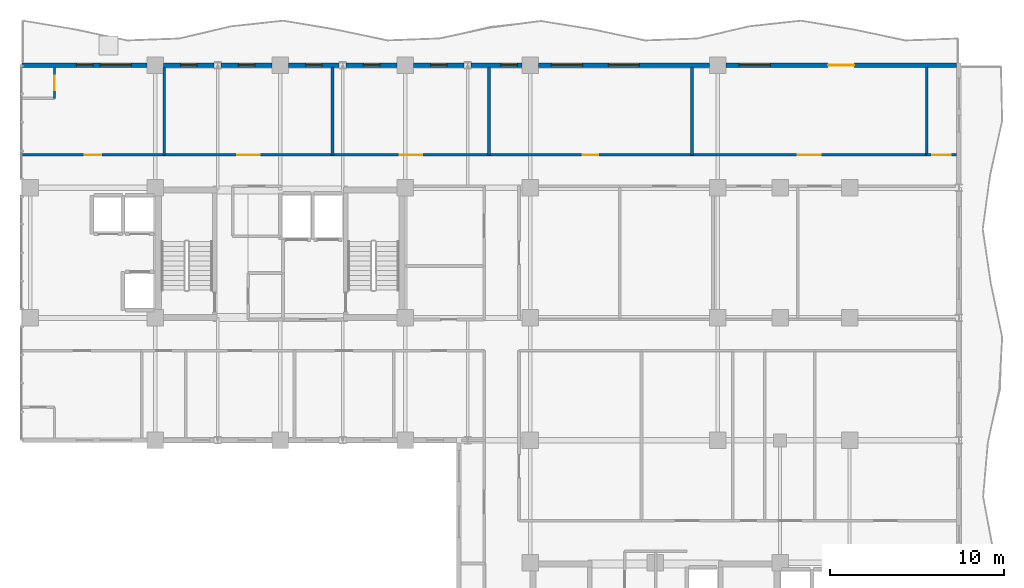
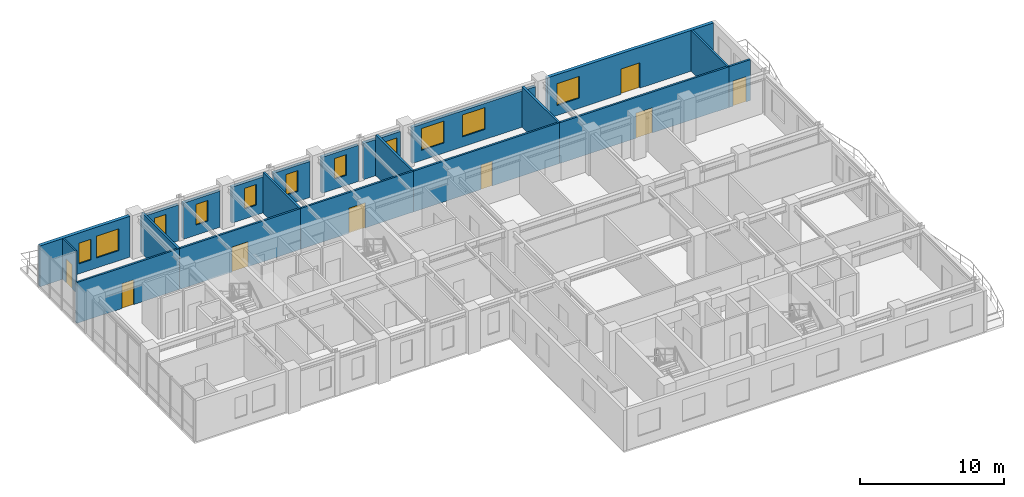
# One storey, part 16 of 20: 21 walls, 11 windows, 8 doors, 19 openings.
"""IFC4 building model written with IfcOpenShell, lengths in metres."""

import ifcopenshell
import ifcopenshell.guid

model = None  # the IFC model being written
_history = None  # IfcOwnerHistory: only IFC2X3 demands one
_inside = {}  # id of a spatial element -> (the spatial element, [elements in it])
_under = {}  # id of a project, library or spatial element -> (it, [spatial elements below it])
_declared = {}  # id of a project -> (the project, [libraries it declares])
_typed = {}  # id of a type object -> (the type object, [elements of that type])
_made_of = {}  # id of a material, layer set ... -> (it, [elements and type objects made of it])


def new_model(schema):
    """Start an empty IFC model of exactly this schema.

    Asked for "IFC4X3", IfcOpenShell would pick the latest addendum, in which some entities
    have other attributes; the version numbers below select the first issue.
    IFC2X3 requires an IfcOwnerHistory on every rooted entity: one is made here for all.
    """
    global model, _history
    if schema == "IFC4X3":
        model = ifcopenshell.file(schema_version=(4, 3, 0, 0))
    else:
        model = ifcopenshell.file(schema=schema)
    _inside.clear()
    _under.clear()
    _declared.clear()
    _typed.clear()
    _made_of.clear()
    _history = None
    if model.schema == "IFC2X3":
        org = make("IfcOrganization", Name="unknown")
        user = make(
            "IfcPersonAndOrganization",
            ThePerson=make("IfcPerson", FamilyName="unknown"),
            TheOrganization=org,
        )
        app = make(
            "IfcApplication",
            ApplicationDeveloper=org,
            Version="unknown",
            ApplicationFullName="unknown",
            ApplicationIdentifier="unknown",
        )
        _history = make(
            "IfcOwnerHistory",
            OwningUser=user,
            OwningApplication=app,
            ChangeAction="ADDED",
            CreationDate=0,
        )
    return model


def make(cls, **values):
    """One entity of the class cls with the attributes given. An attribute that is None is left unset."""
    return model.create_entity(
        cls, **{name: value for name, value in values.items() if value is not None}
    )


def rooted(cls, **values):
    """An entity with a GlobalId (a new one), such as an element, a storey or a relation."""
    return make(cls, GlobalId=ifcopenshell.guid.new(), OwnerHistory=_history, **values)


def si_unit(unit_type, name, prefix=None):
    """IfcSIUnit, for example si_unit("LENGTHUNIT", "METRE", prefix="MILLI")."""
    return make("IfcSIUnit", UnitType=unit_type, Prefix=prefix, Name=name)


def assignment(units):
    """IfcUnitAssignment: the units of a project."""
    return None if units is None else make("IfcUnitAssignment", Units=units)


def point(xyz):
    """IfcCartesianPoint."""
    return None if xyz is None else make("IfcCartesianPoint", Coordinates=xyz)


def direction(xyz):
    """IfcDirection."""
    return None if xyz is None else make("IfcDirection", DirectionRatios=xyz)


def frame(location, z_axis=None, x_axis=None):
    """IfcAxis2Placement3D, a coordinate frame: its origin and axes. An axis left out is left unset."""
    return make(
        "IfcAxis2Placement3D",
        Location=point(location),
        Axis=direction(z_axis),
        RefDirection=direction(x_axis),
    )


def frame_2d(location, x_axis=None):
    """IfcAxis2Placement2D, a coordinate frame in the plane: its origin and x axis."""
    return make(
        "IfcAxis2Placement2D", Location=point(location), RefDirection=direction(x_axis)
    )


def origin():
    """The frame at (0, 0, 0) with its axes left unset."""
    return frame((0.0, 0.0, 0.0))


def place(relative_to, where):
    """IfcLocalPlacement: puts the frame where relative to a parent placement (None: the world)."""
    return make(
        "IfcLocalPlacement", PlacementRelTo=relative_to, RelativePlacement=where
    )


def context(
    kind, dimensions, precision=None, world=None, true_north=None, identifier=None
):
    """IfcGeometricRepresentationContext, for example the 3D "Model" context."""
    return make(
        "IfcGeometricRepresentationContext",
        ContextIdentifier=identifier,
        ContextType=kind,
        CoordinateSpaceDimension=dimensions,
        Precision=precision,
        WorldCoordinateSystem=world,
        TrueNorth=true_north,
    )


def subcontext(parent, identifier, kind, view, scale=None):
    """IfcGeometricRepresentationSubContext, for example "Body" below "Model"."""
    return make(
        "IfcGeometricRepresentationSubContext",
        ContextIdentifier=identifier,
        ContextType=kind,
        ParentContext=parent,
        TargetScale=scale,
        TargetView=view,
    )


def project(units=None, contexts=None):
    """IfcProject with its units and contexts."""
    return rooted(
        "IfcProject",
        Name="project",
        RepresentationContexts=contexts,
        UnitsInContext=assignment(units),
    )


def spatial(cls, under=None, at=None, **own):
    """A site, building, storey or space (cls), placed at a placement, below another one or the project."""
    s = rooted(cls, ObjectPlacement=at, **own)
    if under is not None:
        _under.setdefault(under.id(), (under, []))[1].append(s)
    return s


def profile(cls, at=None, kind="AREA", **sizes):
    """A parametric profile (cls). Its sizes go by their IFC names, for example OverallWidth=200.0."""
    return make(cls, ProfileType=kind, Position=at, **sizes)


def rectangle(**sizes):
    """IfcRectangleProfileDef."""
    return profile("IfcRectangleProfileDef", **sizes)


def extrude(swept, where, along, depth):
    """IfcExtrudedAreaSolid: the profile swept, set in the frame where, extruded along a direction by depth."""
    return make(
        "IfcExtrudedAreaSolid",
        SweptArea=swept,
        Position=where,
        ExtrudedDirection=direction(along),
        Depth=depth,
    )


def shape(context_of_items, identifier, shape_type, items):
    """IfcShapeRepresentation: the items that make up one representation, for example the "Body"."""
    return make(
        "IfcShapeRepresentation",
        ContextOfItems=context_of_items,
        RepresentationIdentifier=identifier,
        RepresentationType=shape_type,
        Items=items,
    )


def material(Name=None, Category=None):
    """IfcMaterial."""
    return make("IfcMaterial", Name=Name, Category=Category)


def layer(
    of_material, thickness, ventilated=None, Name=None, Category=None, Priority=None
):
    """IfcMaterialLayer: one layer of a wall or slab, of a material (None: an air gap)."""
    return make(
        "IfcMaterialLayer",
        Material=of_material,
        LayerThickness=thickness,
        IsVentilated=ventilated,
        Name=Name,
        Category=Category,
        Priority=Priority,
    )


def layer_set(layers, Name=None):
    """IfcMaterialLayerSet."""
    return make("IfcMaterialLayerSet", MaterialLayers=layers, LayerSetName=Name)


def made_of(thing, what):
    """Note that an element or type object is made of a material, layer set ...; save() writes the relation."""
    if what is not None:
        _made_of.setdefault(what.id(), (what, []))[1].append(thing)
    return thing


def type_object(cls, material=None, **own):
    """A type object (cls), such as IfcWallType, which elements share."""
    return made_of(rooted(cls, **own), material)


def element(
    cls,
    number,
    at=None,
    inside=None,
    cuts=None,
    type_object=None,
    material=None,
    context=None,
    identifier="Body",
    shape_type=None,
    held_by="IfcProductDefinitionShape",
    body=None,
    shapes=None,
    **own,
):
    """One element of the class cls, such as IfcWall. Its Tag is "e" and its number.

    at: its placement. inside: the storey or other place that contains it. cuts: it is an
    opening in that element (IfcRelVoidsElement). A single representation is given by context,
    identifier, shape_type and body (its items); several are given by shapes. held_by: the class
    of the entity that holds the representations. save() writes the other relations.
    """
    e = rooted(cls, Tag="e%d" % number, ObjectPlacement=at, **own)
    if body is not None:
        shapes = [shape(context, identifier, shape_type, body)]
    if shapes is not None:
        e.Representation = make(held_by, Representations=shapes)
    if inside is not None:
        _inside.setdefault(inside.id(), (inside, []))[1].append(e)
    if cuts is not None:
        rooted(
            "IfcRelVoidsElement", RelatingBuildingElement=cuts, RelatedOpeningElement=e
        )
    if type_object is not None:
        _typed.setdefault(type_object.id(), (type_object, []))[1].append(e)
    return made_of(e, material)


def fill(opening, filler):
    """IfcRelFillsElement: the door or window that sits in an opening."""
    return rooted(
        "IfcRelFillsElement",
        RelatingOpeningElement=opening,
        RelatedBuildingElement=filler,
    )


def aggregate(whole, parts):
    """IfcRelAggregates: a whole, such as a stair, and the parts it consists of."""
    return rooted("IfcRelAggregates", RelatingObject=whole, RelatedObjects=parts)


def save(model, path):
    """Write the relations noted so far, then the file.

    IfcRelAggregates (storeys below a building ...), IfcRelContainedInSpatialStructure (elements
    in a storey), IfcRelDefinesByType, IfcRelAssociatesMaterial and IfcRelDeclares: one each for
    every whole, place, type object, material and project.
    """
    for whole, parts in _under.values():
        aggregate(whole, parts)
    for where, things in _inside.values():
        rooted(
            "IfcRelContainedInSpatialStructure",
            RelatedElements=things,
            RelatingStructure=where,
        )
    for kind, things in _typed.values():
        rooted("IfcRelDefinesByType", RelatedObjects=things, RelatingType=kind)
    for what, things in _made_of.values():
        rooted("IfcRelAssociatesMaterial", RelatedObjects=things, RelatingMaterial=what)
    for by, libraries in _declared.values():
        rooted("IfcRelDeclares", RelatingContext=by, RelatedDefinitions=libraries)
    model.write(path)


model = new_model("IFC4")

# Units and contexts
model_context = context("Model", 3, precision=1e-05, world=origin(), true_north=direction((0.0, 1.0)))
body_context = subcontext(model_context, "Body", "Model", "MODEL_VIEW")
ifc_project = project(units=[si_unit("LENGTHUNIT", "METRE"), si_unit("AREAUNIT", "SQUARE_METRE"), si_unit("VOLUMEUNIT", "CUBIC_METRE"), si_unit("PLANEANGLEUNIT", "RADIAN"), si_unit("MASSUNIT", "GRAM", prefix="KILO")], contexts=[model_context])

# Site, building, storey
site_placement = place(None, origin())
site = spatial("IfcSite", under=ifc_project, at=site_placement, CompositionType="ELEMENT")
building_placement = place(site_placement, origin())
building = spatial("IfcBuilding", under=site, at=building_placement, Name="Kaliganga Portal Commons", CompositionType="ELEMENT")
storey_placement = place(building_placement, frame((0.0, 0.0, 216.60009765625)))
storey = spatial("IfcBuildingStorey", under=building, at=storey_placement, Name="L55", CompositionType="ELEMENT", Elevation=216.60009765625)

# Wall, openings, door, window
ifc_material_1 = material(Name="Insulated Aluminium-Clad Spandrel Assembly", Category="aluminium")
ifc_layer_1 = layer(ifc_material_1, 0.260009765625)
ifc_layer_set_1 = layer_set([ifc_layer_1], Name="Insulated Aluminium-Clad Spandrel Assembly")
wall_type_1 = type_object("IfcWallType", Name="WL-EXT-SPAND-260", PredefinedType="STANDARD", material=ifc_layer_set_1)
wall_1_placement = place(storey_placement, frame((47.27587890625, 43.199951171875, 0.0), z_axis=(0.0, 0.0, 1.0), x_axis=(1.0, 0.0, 0.0)))
wall_1 = element("IfcWall", 1, at=wall_1_placement, inside=storey, type_object=wall_type_1, Name="Exterior Envelope Wall L55 P1-E02-S1", PredefinedType="STANDARD", context=body_context, shape_type="SweptSolid", body=[
    extrude(rectangle(XDim=13.2890625, YDim=0.260009765625, at=frame_2d((6.64453125, 0.0))), origin(), (0.0, 0.0, 1.0), 3.449951171875),
])
opening_1_placement = place(wall_1_placement, frame((5.89404296875, 0.0, 0.0)))
opening_1 = element("IfcOpeningElement", 2, at=opening_1_placement, cuts=wall_1, Name="Opening BD-01", PredefinedType="OPENING", context=body_context, shape_type="SweptSolid", body=[
    extrude(rectangle(XDim=1.5, YDim=2.14990234375, at=frame_2d((0.75, 1.074951171875))), frame((0.0, 0.14013671875, 0.0), z_axis=(0.0, -1.0, 0.0), x_axis=(1.0, 0.0, 0.0)), (0.0, 0.0, 1.0), 0.280029296875),
])
opening_2_placement = place(wall_1_placement, frame((0.760986328125, 0.0, 0.85009765625)))
opening_2 = element("IfcOpeningElement", 3, at=opening_2_placement, cuts=wall_1, Name="Opening W-01", PredefinedType="OPENING", context=body_context, shape_type="SweptSolid", body=[
    extrude(rectangle(XDim=1.800048828125, YDim=1.85009765625, at=frame_2d((0.89990234375, 0.925048828125))), frame((0.0, 0.14013671875, 0.0), z_axis=(0.0, -1.0, 0.0), x_axis=(1.0, 0.0, 0.0)), (0.0, 0.0, 1.0), 0.280029296875),
])
ifc_material_2 = material(Name="Anodized Aluminium and Laminated Safety Glass", Category="aluminium")
door_type_1 = type_object("IfcDoorType", Name="DR-BALC-1500", OperationType="SLIDING_TO_LEFT", PredefinedType="DOOR", material=ifc_material_2)
door_1_placement = place(opening_1_placement, origin())
door_1 = element("IfcDoor", 4, at=door_1_placement, inside=storey, type_object=door_type_1, Name="Balcony Sliding Door L55 balc_north", OperationType="SLIDING_TO_LEFT", OverallHeight=2.14990234375, OverallWidth=1.5, PredefinedType="DOOR", context=body_context, shape_type="SweptSolid", body=[
    extrude(rectangle(XDim=1.5, YDim=2.14990234375, at=frame_2d((0.75, 1.074951171875))), frame((0.0, 0.02490234375, 0.0), z_axis=(0.0, -1.0, 0.0), x_axis=(1.0, 0.0, 0.0)), (0.0, 0.0, 1.0), 0.050048828125),
])
fill(opening_1, door_1)
ifc_material_3 = material(Name="Thermally Broken Aluminium and Low-E Double Glazing", Category="aluminium")
window_type_1 = type_object("IfcWindowType", Name="WIN-STD-1800", PartitioningType="DOUBLE_PANEL_VERTICAL", PredefinedType="WINDOW", material=ifc_material_3)
window_1_placement = place(opening_2_placement, origin())
window_1 = element("IfcWindow", 5, at=window_1_placement, inside=storey, type_object=window_type_1, Name="Facade Window L55-P1E02S1-00", OverallHeight=1.85009765625, OverallWidth=1.800048828125, PartitioningType="SINGLE_PANEL", PredefinedType="WINDOW", context=body_context, shape_type="SweptSolid", body=[
    extrude(rectangle(XDim=1.800048828125, YDim=1.85009765625, at=frame_2d((0.89990234375, 0.925048828125))), frame((0.0, 0.030029296875, 0.0), z_axis=(0.0, -1.0, 0.0), x_axis=(1.0, 0.0, 0.0)), (0.0, 0.0, 1.0), 0.06005859375),
])
fill(opening_2, window_1)

# Wall, openings, windows
wall_2_placement = place(storey_placement, frame((36.47607421875, 43.199951171875, 0.0), z_axis=(0.0, 0.0, 1.0), x_axis=(1.0, 0.0, 0.0)))
wall_2 = element("IfcWall", 6, at=wall_2_placement, inside=storey, type_object=wall_type_1, Name="Exterior Envelope Wall L55 P1-E02-S2", PredefinedType="STANDARD", context=body_context, shape_type="SweptSolid", body=[
    extrude(rectangle(XDim=9.847900390625, YDim=0.260009765625, at=frame_2d((4.923828125, 0.0))), origin(), (0.0, 0.0, 1.0), 3.0498046875),
])
opening_3_placement = place(wall_2_placement, frame((0.7412109375, 0.0, 0.85009765625)))
opening_3 = element("IfcOpeningElement", 7, at=opening_3_placement, cuts=wall_2, Name="Opening W-01", PredefinedType="OPENING", context=body_context, shape_type="SweptSolid", body=[
    extrude(rectangle(XDim=1.800048828125, YDim=1.85009765625, at=frame_2d((0.89990234375, 0.925048828125))), frame((0.0, 0.14013671875, 0.0), z_axis=(0.0, -1.0, 0.0), x_axis=(1.0, 0.0, 0.0)), (0.0, 0.0, 1.0), 0.280029296875),
])
opening_4_placement = place(wall_2_placement, frame((4.02392578125, 0.0, 0.85009765625)))
opening_4 = element("IfcOpeningElement", 8, at=opening_4_placement, cuts=wall_2, Name="Opening W-01", PredefinedType="OPENING", context=body_context, shape_type="SweptSolid", body=[
    extrude(rectangle(XDim=1.800048828125, YDim=1.85009765625, at=frame_2d((0.89990234375, 0.925048828125))), frame((0.0, 0.14013671875, 0.0), z_axis=(0.0, -1.0, 0.0), x_axis=(1.0, 0.0, 0.0)), (0.0, 0.0, 1.0), 0.280029296875),
])
window_2_placement = place(opening_3_placement, origin())
window_2 = element("IfcWindow", 9, at=window_2_placement, inside=storey, type_object=window_type_1, Name="Facade Window L55-P1E02S2-00", OverallHeight=1.85009765625, OverallWidth=1.800048828125, PartitioningType="SINGLE_PANEL", PredefinedType="WINDOW", context=body_context, shape_type="SweptSolid", body=[
    extrude(rectangle(XDim=1.800048828125, YDim=1.85009765625, at=frame_2d((0.89990234375, 0.925048828125))), frame((0.0, 0.030029296875, 0.0), z_axis=(0.0, -1.0, 0.0), x_axis=(1.0, 0.0, 0.0)), (0.0, 0.0, 1.0), 0.06005859375),
])
fill(opening_3, window_2)
window_3_placement = place(opening_4_placement, origin())
window_3 = element("IfcWindow", 10, at=window_3_placement, inside=storey, type_object=window_type_1, Name="Facade Window L55-P1E02S2-01", OverallHeight=1.85009765625, OverallWidth=1.800048828125, PartitioningType="SINGLE_PANEL", PredefinedType="WINDOW", context=body_context, shape_type="SweptSolid", body=[
    extrude(rectangle(XDim=1.800048828125, YDim=1.85009765625, at=frame_2d((0.89990234375, 0.925048828125))), frame((0.0, 0.030029296875, 0.0), z_axis=(0.0, -1.0, 0.0), x_axis=(1.0, 0.0, 0.0)), (0.0, 0.0, 1.0), 0.06005859375),
])
fill(opening_4, window_3)

# Wall, opening, window
wall_3_placement = place(storey_placement, frame((32.6005859375, 43.199951171875, 0.0), z_axis=(0.0, 0.0, 1.0), x_axis=(1.0, 0.0, 0.0)))
wall_3 = element("IfcWall", 11, at=wall_3_placement, inside=storey, type_object=wall_type_1, Name="Exterior Envelope Wall L55 P1-E02-S3", PredefinedType="STANDARD", context=body_context, shape_type="SweptSolid", body=[
    extrude(rectangle(XDim=2.92333984375, YDim=0.260009765625, at=frame_2d((1.461669921875, 0.0))), origin(), (0.0, 0.0, 1.0), 3.0498046875),
])
opening_5_placement = place(wall_3_placement, frame((1.7119140625, 0.0, 0.85009765625)))
opening_5 = element("IfcOpeningElement", 12, at=opening_5_placement, cuts=wall_3, Name="Opening W-04", PredefinedType="OPENING", context=body_context, shape_type="SweptSolid", body=[
    extrude(rectangle(XDim=0.949951171875, YDim=1.75, at=frame_2d((0.47509765625, 0.875))), frame((0.0, 0.14013671875, 0.0), z_axis=(0.0, -1.0, 0.0), x_axis=(1.0, 0.0, 0.0)), (0.0, 0.0, 1.0), 0.280029296875),
])
window_type_2 = type_object("IfcWindowType", Name="WIN-NARROW-950", PartitioningType="SINGLE_PANEL", PredefinedType="WINDOW", material=ifc_material_3)
window_4_placement = place(opening_5_placement, origin())
window_4 = element("IfcWindow", 13, at=window_4_placement, inside=storey, type_object=window_type_2, Name="Facade Window L55-P1E02S3-N2", OverallHeight=1.75, OverallWidth=0.949951171875, PartitioningType="SINGLE_PANEL", PredefinedType="WINDOW", context=body_context, shape_type="SweptSolid", body=[
    extrude(rectangle(XDim=0.949951171875, YDim=1.75, at=frame_2d((0.47509765625, 0.875))), frame((0.0, 0.030029296875, 0.0), z_axis=(0.0, -1.0, 0.0), x_axis=(1.0, 0.0, 0.0)), (0.0, 0.0, 1.0), 0.06005859375),
])
fill(opening_5, window_4)

wall_4_placement = place(storey_placement, frame((29.27587890625, 43.199951171875, 0.0), z_axis=(0.0, 0.0, 1.0), x_axis=(1.0, 0.0, 0.0)))
wall_4 = element("IfcWall", 14, at=wall_4_placement, inside=storey, type_object=wall_type_1, Name="Exterior Envelope Wall L55 P1-E02-S4", PredefinedType="STANDARD", context=body_context, shape_type="SweptSolid", body=[
    extrude(rectangle(XDim=2.923583984375, YDim=0.260009765625, at=frame_2d((1.4619140625, 0.0))), origin(), (0.0, 0.0, 1.0), 3.0498046875),
])
opening_6_placement = place(wall_4_placement, frame((0.98681640625, 0.0, 0.85009765625)))
opening_6 = element("IfcOpeningElement", 15, at=opening_6_placement, cuts=wall_4, Name="Opening W-04", PredefinedType="OPENING", context=body_context, shape_type="SweptSolid", body=[
    extrude(rectangle(XDim=0.949951171875, YDim=1.75, at=frame_2d((0.47509765625, 0.875))), frame((0.0, 0.14013671875, 0.0), z_axis=(0.0, -1.0, 0.0), x_axis=(1.0, 0.0, 0.0)), (0.0, 0.0, 1.0), 0.280029296875),
])
window_5_placement = place(opening_6_placement, origin())
window_5 = element("IfcWindow", 16, at=window_5_placement, inside=storey, type_object=window_type_2, Name="Facade Window L55-P1E02S4-00", OverallHeight=1.75, OverallWidth=0.949951171875, PartitioningType="SINGLE_PANEL", PredefinedType="WINDOW", context=body_context, shape_type="SweptSolid", body=[
    extrude(rectangle(XDim=0.949951171875, YDim=1.75, at=frame_2d((0.47509765625, 0.875))), frame((0.0, 0.030029296875, 0.0), z_axis=(0.0, -1.0, 0.0), x_axis=(1.0, 0.0, 0.0)), (0.0, 0.0, 1.0), 0.06005859375),
])
fill(opening_6, window_5)

wall_5_placement = place(storey_placement, frame((25.400390625, 43.199951171875, 0.0), z_axis=(0.0, 0.0, 1.0), x_axis=(1.0, 0.0, 0.0)))
wall_5 = element("IfcWall", 17, at=wall_5_placement, inside=storey, type_object=wall_type_1, Name="Exterior Envelope Wall L55 P1-E02-S5", PredefinedType="STANDARD", context=body_context, shape_type="SweptSolid", body=[
    extrude(rectangle(XDim=2.923583984375, YDim=0.260009765625, at=frame_2d((1.4619140625, 0.0))), origin(), (0.0, 0.0, 1.0), 3.0498046875),
])
opening_7_placement = place(wall_5_placement, frame((0.98681640625, 0.0, 0.85009765625)))
opening_7 = element("IfcOpeningElement", 18, at=opening_7_placement, cuts=wall_5, Name="Opening W-04", PredefinedType="OPENING", context=body_context, shape_type="SweptSolid", body=[
    extrude(rectangle(XDim=0.949951171875, YDim=1.75, at=frame_2d((0.47509765625, 0.875))), frame((0.0, 0.14013671875, 0.0), z_axis=(0.0, -1.0, 0.0), x_axis=(1.0, 0.0, 0.0)), (0.0, 0.0, 1.0), 0.280029296875),
])
window_6_placement = place(opening_7_placement, origin())
window_6 = element("IfcWindow", 19, at=window_6_placement, inside=storey, type_object=window_type_2, Name="Facade Window L55-P1E02S5-00", OverallHeight=1.75, OverallWidth=0.949951171875, PartitioningType="SINGLE_PANEL", PredefinedType="WINDOW", context=body_context, shape_type="SweptSolid", body=[
    extrude(rectangle(XDim=0.949951171875, YDim=1.75, at=frame_2d((0.47509765625, 0.875))), frame((0.0, 0.030029296875, 0.0), z_axis=(0.0, -1.0, 0.0), x_axis=(1.0, 0.0, 0.0)), (0.0, 0.0, 1.0), 0.06005859375),
])
fill(opening_7, window_6)

wall_6_placement = place(storey_placement, frame((22.075927734375, 43.199951171875, 0.0), z_axis=(0.0, 0.0, 1.0), x_axis=(1.0, 0.0, 0.0)))
wall_6 = element("IfcWall", 20, at=wall_6_placement, inside=storey, type_object=wall_type_1, Name="Exterior Envelope Wall L55 P1-E02-S6", PredefinedType="STANDARD", context=body_context, shape_type="SweptSolid", body=[
    extrude(rectangle(XDim=2.923583984375, YDim=0.260009765625, at=frame_2d((1.4619140625, 0.0))), origin(), (0.0, 0.0, 1.0), 3.0498046875),
])
opening_8_placement = place(wall_6_placement, frame((0.98681640625, 0.0, 0.85009765625)))
opening_8 = element("IfcOpeningElement", 21, at=opening_8_placement, cuts=wall_6, Name="Opening W-04", PredefinedType="OPENING", context=body_context, shape_type="SweptSolid", body=[
    extrude(rectangle(XDim=0.949951171875, YDim=1.75, at=frame_2d((0.47509765625, 0.875))), frame((0.0, 0.14013671875, 0.0), z_axis=(0.0, -1.0, 0.0), x_axis=(1.0, 0.0, 0.0)), (0.0, 0.0, 1.0), 0.280029296875),
])
window_7_placement = place(opening_8_placement, origin())
window_7 = element("IfcWindow", 22, at=window_7_placement, inside=storey, type_object=window_type_2, Name="Facade Window L55-P1E02S6-00", OverallHeight=1.75, OverallWidth=0.949951171875, PartitioningType="SINGLE_PANEL", PredefinedType="WINDOW", context=body_context, shape_type="SweptSolid", body=[
    extrude(rectangle(XDim=0.949951171875, YDim=1.75, at=frame_2d((0.47509765625, 0.875))), frame((0.0, 0.030029296875, 0.0), z_axis=(0.0, -1.0, 0.0), x_axis=(1.0, 0.0, 0.0)), (0.0, 0.0, 1.0), 0.06005859375),
])
fill(opening_8, window_7)

wall_7_placement = place(storey_placement, frame((18.200439453125, 43.199951171875, 0.0), z_axis=(0.0, 0.0, 1.0), x_axis=(1.0, 0.0, 0.0)))
wall_7 = element("IfcWall", 23, at=wall_7_placement, inside=storey, type_object=wall_type_1, Name="Exterior Envelope Wall L55 P1-E02-S7", PredefinedType="STANDARD", context=body_context, shape_type="SweptSolid", body=[
    extrude(rectangle(XDim=2.923583984375, YDim=0.260009765625, at=frame_2d((1.4619140625, 0.0))), origin(), (0.0, 0.0, 1.0), 3.0498046875),
])
opening_9_placement = place(wall_7_placement, frame((0.98681640625, 0.0, 0.85009765625)))
opening_9 = element("IfcOpeningElement", 24, at=opening_9_placement, cuts=wall_7, Name="Opening W-04", PredefinedType="OPENING", context=body_context, shape_type="SweptSolid", body=[
    extrude(rectangle(XDim=0.949951171875, YDim=1.75, at=frame_2d((0.47509765625, 0.875))), frame((0.0, 0.14013671875, 0.0), z_axis=(0.0, -1.0, 0.0), x_axis=(1.0, 0.0, 0.0)), (0.0, 0.0, 1.0), 0.280029296875),
])
window_8_placement = place(opening_9_placement, origin())
window_8 = element("IfcWindow", 25, at=window_8_placement, inside=storey, type_object=window_type_2, Name="Facade Window L55-P1E02S7-00", OverallHeight=1.75, OverallWidth=0.949951171875, PartitioningType="SINGLE_PANEL", PredefinedType="WINDOW", context=body_context, shape_type="SweptSolid", body=[
    extrude(rectangle(XDim=0.949951171875, YDim=1.75, at=frame_2d((0.47509765625, 0.875))), frame((0.0, 0.030029296875, 0.0), z_axis=(0.0, -1.0, 0.0), x_axis=(1.0, 0.0, 0.0)), (0.0, 0.0, 1.0), 0.06005859375),
])
fill(opening_9, window_8)

wall_8_placement = place(storey_placement, frame((14.8759765625, 43.199951171875, 0.0), z_axis=(0.0, 0.0, 1.0), x_axis=(1.0, 0.0, 0.0)))
wall_8 = element("IfcWall", 26, at=wall_8_placement, inside=storey, type_object=wall_type_1, Name="Exterior Envelope Wall L55 P1-E02-S8", PredefinedType="STANDARD", context=body_context, shape_type="SweptSolid", body=[
    extrude(rectangle(XDim=2.923583984375, YDim=0.260009765625, at=frame_2d((1.4619140625, 0.0))), origin(), (0.0, 0.0, 1.0), 3.0498046875),
])
opening_10_placement = place(wall_8_placement, frame((0.98681640625, 0.0, 0.85009765625)))
opening_10 = element("IfcOpeningElement", 27, at=opening_10_placement, cuts=wall_8, Name="Opening W-04", PredefinedType="OPENING", context=body_context, shape_type="SweptSolid", body=[
    extrude(rectangle(XDim=0.949951171875, YDim=1.75, at=frame_2d((0.47509765625, 0.875))), frame((0.0, 0.14013671875, 0.0), z_axis=(0.0, -1.0, 0.0), x_axis=(1.0, 0.0, 0.0)), (0.0, 0.0, 1.0), 0.280029296875),
])
window_9_placement = place(opening_10_placement, origin())
window_9 = element("IfcWindow", 28, at=window_9_placement, inside=storey, type_object=window_type_2, Name="Facade Window L55-P1E02S8-00", OverallHeight=1.75, OverallWidth=0.949951171875, PartitioningType="SINGLE_PANEL", PredefinedType="WINDOW", context=body_context, shape_type="SweptSolid", body=[
    extrude(rectangle(XDim=0.949951171875, YDim=1.75, at=frame_2d((0.47509765625, 0.875))), frame((0.0, 0.030029296875, 0.0), z_axis=(0.0, -1.0, 0.0), x_axis=(1.0, 0.0, 0.0)), (0.0, 0.0, 1.0), 0.06005859375),
])
fill(opening_10, window_9)

# Wall, openings, windows
wall_9_placement = place(storey_placement, frame((6.737060546875, 43.199951171875, 0.0), z_axis=(0.0, 0.0, 1.0), x_axis=(1.0, 0.0, 0.0)))
wall_9 = element("IfcWall", 29, at=wall_9_placement, inside=storey, type_object=wall_type_1, Name="Exterior Envelope Wall L55 P1-E02-S9", PredefinedType="STANDARD", context=body_context, shape_type="SweptSolid", body=[
    extrude(rectangle(XDim=7.18701171875, YDim=0.260009765625, at=frame_2d((3.593505859375, 0.0))), origin(), (0.0, 0.0, 1.0), 3.449951171875),
])
opening_11_placement = place(wall_9_placement, frame((4.490234375, 0.0, 0.85009765625)))
opening_11 = element("IfcOpeningElement", 30, at=opening_11_placement, cuts=wall_9, Name="Opening W-01", PredefinedType="OPENING", context=body_context, shape_type="SweptSolid", body=[
    extrude(rectangle(XDim=1.800048828125, YDim=1.85009765625, at=frame_2d((0.89990234375, 0.925048828125))), frame((0.0, 0.14013671875, 0.0), z_axis=(0.0, -1.0, 0.0), x_axis=(1.0, 0.0, 0.0)), (0.0, 0.0, 1.0), 0.280029296875),
])
opening_12_placement = place(wall_9_placement, frame((3.118408203125, 0.0, 0.85009765625)))
opening_12 = element("IfcOpeningElement", 31, at=opening_12_placement, cuts=wall_9, Name="Opening W-04", PredefinedType="OPENING", context=body_context, shape_type="SweptSolid", body=[
    extrude(rectangle(XDim=0.949951171875, YDim=1.75, at=frame_2d((0.47509765625, 0.875))), frame((0.0, 0.14013671875, 0.0), z_axis=(0.0, -1.0, 0.0), x_axis=(1.0, 0.0, 0.0)), (0.0, 0.0, 1.0), 0.280029296875),
])
window_10_placement = place(opening_12_placement, origin())
window_10 = element("IfcWindow", 32, at=window_10_placement, inside=storey, type_object=window_type_2, Name="Facade Window L55-P1E02S9-N0", OverallHeight=1.75, OverallWidth=0.949951171875, PartitioningType="SINGLE_PANEL", PredefinedType="WINDOW", context=body_context, shape_type="SweptSolid", body=[
    extrude(rectangle(XDim=0.949951171875, YDim=1.75, at=frame_2d((0.47509765625, 0.875))), frame((0.0, 0.030029296875, 0.0), z_axis=(0.0, -1.0, 0.0), x_axis=(1.0, 0.0, 0.0)), (0.0, 0.0, 1.0), 0.06005859375),
])
fill(opening_12, window_10)
window_11_placement = place(opening_11_placement, origin())
window_11 = element("IfcWindow", 33, at=window_11_placement, inside=storey, type_object=window_type_1, Name="Facade Window L55-P1E02S9-01", OverallHeight=1.85009765625, OverallWidth=1.800048828125, PartitioningType="SINGLE_PANEL", PredefinedType="WINDOW", context=body_context, shape_type="SweptSolid", body=[
    extrude(rectangle(XDim=1.800048828125, YDim=1.85009765625, at=frame_2d((0.89990234375, 0.925048828125))), frame((0.0, 0.030029296875, 0.0), z_axis=(0.0, -1.0, 0.0), x_axis=(1.0, 0.0, 0.0)), (0.0, 0.0, 1.0), 0.06005859375),
])
fill(opening_11, window_11)

# Wall, opening, door
ifc_material_4 = material(Name="Fire-Rated Gypsum Board on Steel Stud", Category="steel")
ifc_layer_2 = layer(ifc_material_4, 0.14990234375)
ifc_layer_set_2 = layer_set([ifc_layer_2], Name="Fire-Rated Gypsum Board on Steel Stud")
wall_type_2 = type_object("IfcWallType", Name="WL-PART-CORR-150", PredefinedType="PARTITIONING", material=ifc_layer_set_2)
wall_10_placement = place(storey_placement, frame((45.320068359375, 38.0400390625, 0.0), z_axis=(0.0, 0.0, 1.0), x_axis=(1.0, 0.0, 0.0)))
wall_10 = element("IfcWall", 34, at=wall_10_placement, inside=storey, type_object=wall_type_2, Name="Interior Partition L55-005", PredefinedType="PARTITIONING", context=body_context, shape_type="SweptSolid", body=[
    extrude(rectangle(XDim=13.52001953125, YDim=0.14990234375, at=frame_2d((6.760009765625, 0.0))), origin(), (0.0, 0.0, 1.0), 3.449951171875),
])
opening_13_placement = place(wall_10_placement, frame((6.110107421875, 0.0, 0.0)))
opening_13 = element("IfcOpeningElement", 35, at=opening_13_placement, cuts=wall_10, Name="Opening RD-03", PredefinedType="OPENING", context=body_context, shape_type="SweptSolid", body=[
    extrude(rectangle(XDim=1.300048828125, YDim=2.1201171875, at=frame_2d((0.64990234375, 1.06005859375))), frame((0.0, 0.0849609375, 0.0), z_axis=(0.0, -1.0, 0.0), x_axis=(1.0, 0.0, 0.0)), (0.0, 0.0, 1.0), 0.169921875),
])
ifc_material_5 = material(Name="Glazed Timber Seminar Vision Door", Category="wood")
door_type_2 = type_object("IfcDoorType", Name="DR-STUDY-1300", OperationType="DOUBLE_DOOR_SINGLE_SWING", PredefinedType="DOOR", material=ifc_material_5)
door_2_placement = place(opening_13_placement, origin())
door_2 = element("IfcDoor", 36, at=door_2_placement, inside=storey, type_object=door_type_2, Name="Interior Door L55-AN05", OperationType="DOUBLE_DOOR_SINGLE_SWING", OverallHeight=2.1201171875, OverallWidth=1.300048828125, PredefinedType="DOOR", context=body_context, shape_type="SweptSolid", body=[
    extrude(rectangle(XDim=1.300048828125, YDim=2.1201171875, at=frame_2d((0.64990234375, 1.06005859375))), frame((0.0, 0.02490234375, 0.0), z_axis=(0.0, -1.0, 0.0), x_axis=(1.0, 0.0, 0.0)), (0.0, 0.0, 1.0), 0.050048828125),
])
fill(opening_13, door_2)

wall_11_placement = place(storey_placement, frame((33.639892578125, 38.0400390625, 0.0), z_axis=(0.0, 0.0, 1.0), x_axis=(1.0, 0.0, 0.0)))
wall_11 = element("IfcWall", 37, at=wall_11_placement, inside=storey, type_object=wall_type_2, Name="Interior Partition L55-006", PredefinedType="PARTITIONING", context=body_context, shape_type="SweptSolid", body=[
    extrude(rectangle(XDim=11.68017578125, YDim=0.14990234375, at=frame_2d((5.840087890625, 0.0))), origin(), (0.0, 0.0, 1.0), 3.449951171875),
])
opening_14_placement = place(wall_11_placement, frame((5.389892578125, 0.0, 0.0)))
opening_14 = element("IfcOpeningElement", 38, at=opening_14_placement, cuts=wall_11, Name="Opening RD-01", PredefinedType="OPENING", context=body_context, shape_type="SweptSolid", body=[
    extrude(rectangle(XDim=0.89990234375, YDim=2.080078125, at=frame_2d((0.449951171875, 1.0400390625))), frame((0.0, 0.0849609375, 0.0), z_axis=(0.0, -1.0, 0.0), x_axis=(1.0, 0.0, 0.0)), (0.0, 0.0, 1.0), 0.169921875),
])
ifc_material_6 = material(Name="Engineered Timber Flush Door", Category="wood")
door_type_3 = type_object("IfcDoorType", Name="DR-ROOM-900", OperationType="NOTDEFINED", PredefinedType="DOOR", material=ifc_material_6)
door_3_placement = place(opening_14_placement, origin())
door_3 = element("IfcDoor", 39, at=door_3_placement, inside=storey, type_object=door_type_3, Name="Interior Door L55-AN04", OperationType="SINGLE_SWING_LEFT", OverallHeight=2.080078125, OverallWidth=0.89990234375, PredefinedType="DOOR", context=body_context, shape_type="SweptSolid", body=[
    extrude(rectangle(XDim=0.89990234375, YDim=2.080078125, at=frame_2d((0.449951171875, 1.0400390625))), frame((0.0, 0.02490234375, 0.0), z_axis=(0.0, -1.0, 0.0), x_axis=(1.0, 0.0, 0.0)), (0.0, 0.0, 1.0), 0.050048828125),
])
fill(opening_14, door_3)

wall_12_placement = place(storey_placement, frame((14.919921875, 38.0400390625, 0.0), z_axis=(0.0, 0.0, 1.0), x_axis=(1.0, 0.0, 0.0)))
wall_12 = element("IfcWall", 40, at=wall_12_placement, inside=storey, type_object=wall_type_2, Name="Interior Partition L55-008", PredefinedType="PARTITIONING", context=body_context, shape_type="SweptSolid", body=[
    extrude(rectangle(XDim=9.7001953125, YDim=0.14990234375, at=frame_2d((4.85009765625, 0.0))), origin(), (0.0, 0.0, 1.0), 3.449951171875),
])
opening_15_placement = place(wall_12_placement, frame((4.199951171875, 0.0, 0.0)))
opening_15 = element("IfcOpeningElement", 41, at=opening_15_placement, cuts=wall_12, Name="Opening RD-03", PredefinedType="OPENING", context=body_context, shape_type="SweptSolid", body=[
    extrude(rectangle(XDim=1.300048828125, YDim=2.1201171875, at=frame_2d((0.64990234375, 1.06005859375))), frame((0.0, 0.0849609375, 0.0), z_axis=(0.0, -1.0, 0.0), x_axis=(1.0, 0.0, 0.0)), (0.0, 0.0, 1.0), 0.169921875),
])
door_4_placement = place(opening_15_placement, origin())
door_4 = element("IfcDoor", 42, at=door_4_placement, inside=storey, type_object=door_type_2, Name="Interior Door L55-AN02", OperationType="DOUBLE_DOOR_SINGLE_SWING", OverallHeight=2.1201171875, OverallWidth=1.300048828125, PredefinedType="DOOR", context=body_context, shape_type="SweptSolid", body=[
    extrude(rectangle(XDim=1.300048828125, YDim=2.1201171875, at=frame_2d((0.64990234375, 1.06005859375))), frame((0.0, 0.02490234375, 0.0), z_axis=(0.0, -1.0, 0.0), x_axis=(1.0, 0.0, 0.0)), (0.0, 0.0, 1.0), 0.050048828125),
])
fill(opening_15, door_4)

wall_13_placement = place(storey_placement, frame((24.6201171875, 38.0400390625, 0.0), z_axis=(0.0, 0.0, 1.0), x_axis=(1.0, 0.0, 0.0)))
wall_13 = element("IfcWall", 43, at=wall_13_placement, inside=storey, type_object=wall_type_2, Name="Interior Partition L55-011", PredefinedType="PARTITIONING", context=body_context, shape_type="SweptSolid", body=[
    extrude(rectangle(XDim=9.019775390625, YDim=0.14990234375, at=frame_2d((4.509765625, 0.0))), origin(), (0.0, 0.0, 1.0), 3.449951171875),
])
opening_16_placement = place(wall_13_placement, frame((3.860107421875, 0.0, 0.0)))
opening_16 = element("IfcOpeningElement", 44, at=opening_16_placement, cuts=wall_13, Name="Opening RD-03", PredefinedType="OPENING", context=body_context, shape_type="SweptSolid", body=[
    extrude(rectangle(XDim=1.300048828125, YDim=2.1201171875, at=frame_2d((0.64990234375, 1.06005859375))), frame((0.0, 0.0849609375, 0.0), z_axis=(0.0, -1.0, 0.0), x_axis=(1.0, 0.0, 0.0)), (0.0, 0.0, 1.0), 0.169921875),
])
door_5_placement = place(opening_16_placement, origin())
door_5 = element("IfcDoor", 45, at=door_5_placement, inside=storey, type_object=door_type_2, Name="Interior Door L55-AN03", OperationType="DOUBLE_DOOR_SINGLE_SWING", OverallHeight=2.1201171875, OverallWidth=1.300048828125, PredefinedType="DOOR", context=body_context, shape_type="SweptSolid", body=[
    extrude(rectangle(XDim=1.300048828125, YDim=2.1201171875, at=frame_2d((0.64990234375, 1.06005859375))), frame((0.0, 0.02490234375, 0.0), z_axis=(0.0, -1.0, 0.0), x_axis=(1.0, 0.0, 0.0)), (0.0, 0.0, 1.0), 0.050048828125),
])
fill(opening_16, door_5)

wall_14_placement = place(storey_placement, frame((6.719970703125, 38.0400390625, 0.0), z_axis=(0.0, 0.0, 1.0), x_axis=(1.0, 0.0, 0.0)))
wall_14 = element("IfcWall", 46, at=wall_14_placement, inside=storey, type_object=wall_type_2, Name="Interior Partition L55-013", PredefinedType="PARTITIONING", context=body_context, shape_type="SweptSolid", body=[
    extrude(rectangle(XDim=8.199951171875, YDim=0.14990234375, at=frame_2d((4.10009765625, 0.0))), origin(), (0.0, 0.0, 1.0), 3.449951171875),
])
opening_17_placement = place(wall_14_placement, frame((3.625, 0.0, 0.0)))
opening_17 = element("IfcOpeningElement", 47, at=opening_17_placement, cuts=wall_14, Name="Opening UD-01", PredefinedType="OPENING", context=body_context, shape_type="SweptSolid", body=[
    extrude(rectangle(XDim=0.949951171875, YDim=2.10009765625, at=frame_2d((0.47509765625, 1.050048828125))), frame((0.0, 0.0849609375, 0.0), z_axis=(0.0, -1.0, 0.0), x_axis=(1.0, 0.0, 0.0)), (0.0, 0.0, 1.0), 0.169921875),
])
ifc_material_7 = material(Name="Solid-Core Timber Acoustic Fire Door", Category="wood")
door_type_4 = type_object("IfcDoorType", Name="DR-UNIT-950", OperationType="NOTDEFINED", PredefinedType="DOOR", material=ifc_material_7)
door_6_placement = place(opening_17_placement, origin())
door_6 = element("IfcDoor", 48, at=door_6_placement, inside=storey, type_object=door_type_4, Name="Interior Door L55-AN01", OperationType="SINGLE_SWING_LEFT", OverallHeight=2.10009765625, OverallWidth=0.949951171875, PredefinedType="DOOR", context=body_context, shape_type="SweptSolid", body=[
    extrude(rectangle(XDim=0.949951171875, YDim=2.10009765625, at=frame_2d((0.47509765625, 1.050048828125))), frame((0.0, 0.02490234375, 0.0), z_axis=(0.0, -1.0, 0.0), x_axis=(1.0, 0.0, 0.0)), (0.0, 0.0, 1.0), 0.050048828125),
])
fill(opening_17, door_6)

wall_15_placement = place(storey_placement, frame((58.840087890625, 38.0400390625, 0.0), z_axis=(0.0, 0.0, 1.0), x_axis=(1.0, 0.0, 0.0)))
wall_15 = element("IfcWall", 49, at=wall_15_placement, inside=storey, type_object=wall_type_2, Name="Interior Partition L55-042", PredefinedType="PARTITIONING", context=body_context, shape_type="SweptSolid", body=[
    extrude(rectangle(XDim=1.72802734375, YDim=0.14990234375, at=frame_2d((0.864013671875, 0.0))), origin(), (0.0, 0.0, 1.0), 3.449951171875),
])
opening_18_placement = place(wall_15_placement, frame((0.339111328125, 0.0, 0.0)))
opening_18 = element("IfcOpeningElement", 50, at=opening_18_placement, cuts=wall_15, Name="Opening UD-02", PredefinedType="OPENING", context=body_context, shape_type="SweptSolid", body=[
    extrude(rectangle(XDim=1.050048828125, YDim=2.1201171875, at=frame_2d((0.52490234375, 1.06005859375))), frame((0.0, 0.0849609375, 0.0), z_axis=(0.0, -1.0, 0.0), x_axis=(1.0, 0.0, 0.0)), (0.0, 0.0, 1.0), 0.169921875),
])
ifc_material_8 = material(Name="Accessible Wide-Leaf Acoustic Fire Door", Category="wood")
door_type_5 = type_object("IfcDoorType", Name="DR-ACC-1050", OperationType="NOTDEFINED", PredefinedType="DOOR", material=ifc_material_8)
door_7_placement = place(opening_18_placement, origin())
door_7 = element("IfcDoor", 51, at=door_7_placement, inside=storey, type_object=door_type_5, Name="Interior Door L55-AN06", OperationType="SINGLE_SWING_LEFT", OverallHeight=2.1201171875, OverallWidth=1.050048828125, PredefinedType="DOOR", context=body_context, shape_type="SweptSolid", body=[
    extrude(rectangle(XDim=1.050048828125, YDim=2.1201171875, at=frame_2d((0.52490234375, 1.06005859375))), frame((0.0, 0.02490234375, 0.0), z_axis=(0.0, -1.0, 0.0), x_axis=(1.0, 0.0, 0.0)), (0.0, 0.0, 1.0), 0.050048828125),
])
fill(opening_18, door_7)

# Walls
ifc_material_9 = material(Name="Twin-Stud Acoustic Gypsum Partition", Category="gypsum")
ifc_layer_3 = layer(ifc_material_9, 0.1650390625)
ifc_layer_set_3 = layer_set([ifc_layer_3], Name="Twin-Stud Acoustic Gypsum Partition")
wall_type_3 = type_object("IfcWallType", Name="WL-PART-UNIT-165", PredefinedType="PARTITIONING", material=ifc_layer_set_3)
for number, where, z_axis, x_axis, name in (
    (52, (14.919921875, 38.0400390625, 0.0), (0.0, 0.0, 1.0), (0.0, 1.0, 0.0), "Interior Partition L55-063"),
    (53, (24.6201171875, 38.0400390625, 0.0), (0.0, 0.0, 1.0), (0.0, 1.0, 0.0), "Interior Partition L55-064"),
    (54, (33.639892578125, 38.0400390625, 0.0), (0.0, 0.0, 1.0), (0.0, 1.0, 0.0), "Interior Partition L55-065"),
    (55, (45.320068359375, 38.0400390625, 0.0), (0.0, 0.0, 1.0), (0.0, 1.0, 0.0), "Interior Partition L55-066"),
):
    element("IfcWall", number, at=place(storey_placement, frame(where, z_axis=z_axis, x_axis=x_axis)), inside=storey, type_object=wall_type_3, Name=name, PredefinedType="PARTITIONING", context=body_context, shape_type="SweptSolid", body=[
        extrude(rectangle(XDim=5.028076171875, YDim=0.1650390625, at=frame_2d((2.51416015625, 0.0))), origin(), (0.0, 0.0, 1.0), 3.449951171875),
    ])

# Wall, opening, door
ifc_material_10 = material(Name="Cement-Board Wet-Room Partition", Category="gypsum")
ifc_layer_4 = layer(ifc_material_10, 0.135009765625)
ifc_layer_set_4 = layer_set([ifc_layer_4], Name="Cement-Board Wet-Room Partition")
wall_type_4 = type_object("IfcWallType", Name="WL-PART-WET-135", PredefinedType="PARTITIONING", material=ifc_layer_set_4)
wall_16_placement = place(storey_placement, frame((8.60009765625, 41.300048828125, 0.0), z_axis=(0.0, 0.0, 1.0), x_axis=(0.0, 1.0, 0.0)))
wall_16 = element("IfcWall", 56, at=wall_16_placement, inside=storey, type_object=wall_type_4, Name="Interior Partition L55-001", PredefinedType="PARTITIONING", context=body_context, shape_type="SweptSolid", body=[
    extrude(rectangle(XDim=1.76806640625, YDim=0.135009765625, at=frame_2d((0.884033203125, 0.0))), origin(), (0.0, 0.0, 1.0), 3.449951171875),
])
opening_19_placement = place(wall_16_placement, frame((0.458984375, 0.0, 0.0)))
opening_19 = element("IfcOpeningElement", 57, at=opening_19_placement, cuts=wall_16, Name="Opening WD-01", PredefinedType="OPENING", context=body_context, shape_type="SweptSolid", body=[
    extrude(rectangle(XDim=0.85009765625, YDim=2.0400390625, at=frame_2d((0.425048828125, 1.02001953125))), frame((0.0, 0.07763671875, 0.0), z_axis=(0.0, -1.0, 0.0), x_axis=(1.0, 0.0, 0.0)), (0.0, 0.0, 1.0), 0.155029296875),
])
ifc_material_11 = material(Name="Moisture-Resistant Laminate Timber Door", Category="wood")
door_type_6 = type_object("IfcDoorType", Name="DR-WET-850", OperationType="NOTDEFINED", PredefinedType="DOOR", material=ifc_material_11)
door_8_placement = place(opening_19_placement, origin())
door_8 = element("IfcDoor", 58, at=door_8_placement, inside=storey, type_object=door_type_6, Name="Interior Door L55-AN01E", OperationType="SINGLE_SWING_RIGHT", OverallHeight=2.0400390625, OverallWidth=0.85009765625, PredefinedType="DOOR", context=body_context, shape_type="SweptSolid", body=[
    extrude(rectangle(XDim=0.85009765625, YDim=2.0400390625, at=frame_2d((0.425048828125, 1.02001953125))), frame((0.0, 0.02490234375, 0.0), z_axis=(0.0, -1.0, 0.0), x_axis=(1.0, 0.0, 0.0)), (0.0, 0.0, 1.0), 0.050048828125),
])
fill(opening_19, door_8)

# Wall
wall_17_placement = place(storey_placement, frame((58.840087890625, 38.0400390625, 0.0), z_axis=(0.0, 0.0, 1.0), x_axis=(0.0, 1.0, 0.0)))
element("IfcWall", 59, at=wall_17_placement, inside=storey, type_object=wall_type_4, Name="Interior Partition L55-067", PredefinedType="PARTITIONING", context=body_context, shape_type="SweptSolid", body=[
    extrude(rectangle(XDim=5.028076171875, YDim=0.135009765625, at=frame_2d((2.51416015625, 0.0))), origin(), (0.0, 0.0, 1.0), 3.449951171875),
])

save(model, "model.ifc")
